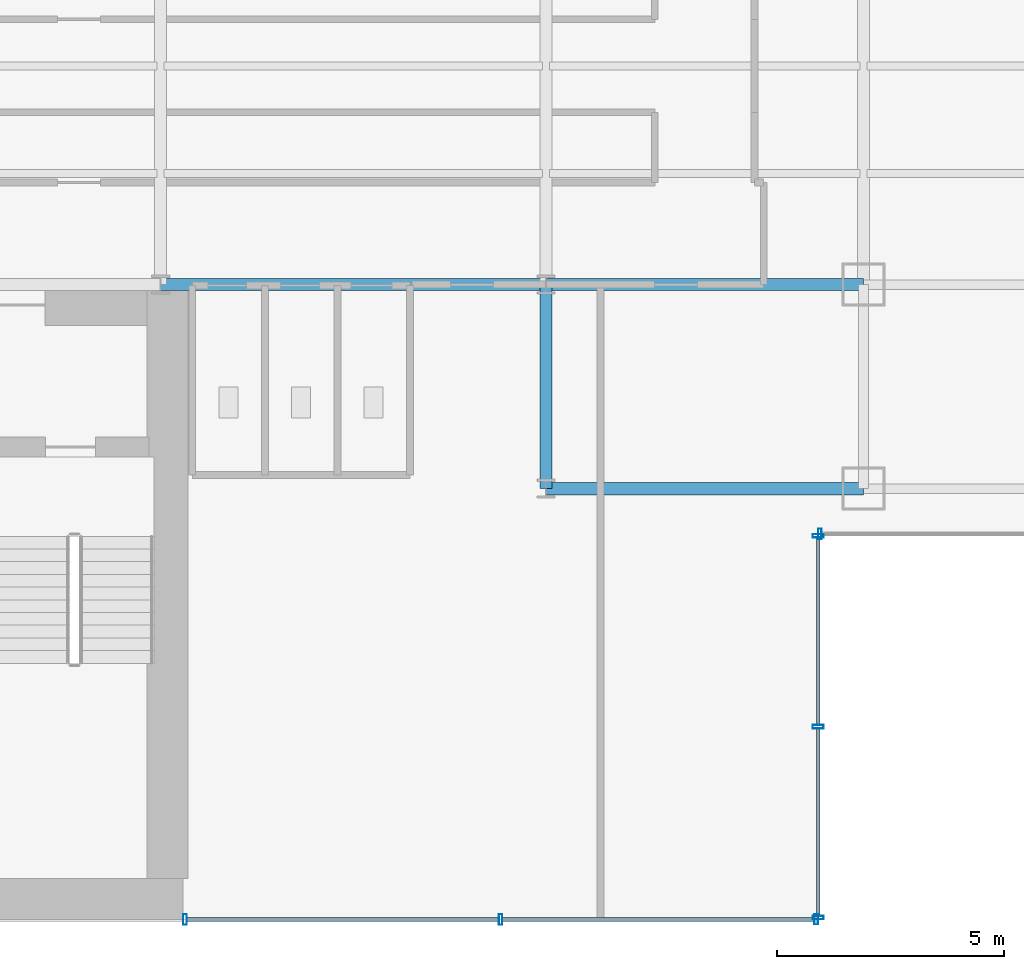
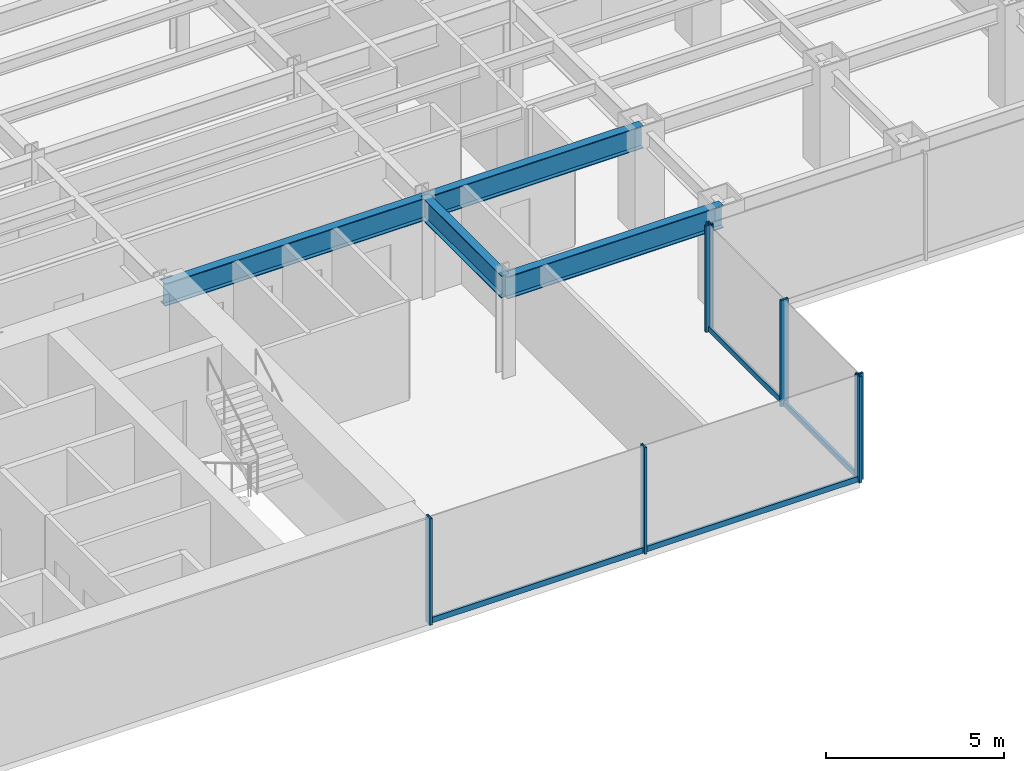
# One storey, part 6 of 22: 11 members, 4 beams, 3 elements without a shape of their own.
"""IFC4 building model written with IfcOpenShell, lengths in metres."""

from ifc_helpers import new_model, si_unit, derived_unit, direction, frame, origin, origin_2d, place, context, subcontext, project, spatial, hollow_rectangle, i_section, extrude, source, transform, mapped, material, material_profile, profile_set, type_object, element, aggregate, save


model = new_model("IFC4")

# Units and contexts
model_context = context("Model", 3, precision=1e-05, world=origin(), true_north=direction((0.0, 1.0)))
body_context = subcontext(model_context, "Body", "Model", "MODEL_VIEW")
ifc_project = project(units=[si_unit("LENGTHUNIT", "METRE"), si_unit("AREAUNIT", "SQUARE_METRE"), si_unit("VOLUMEUNIT", "CUBIC_METRE"), si_unit("PLANEANGLEUNIT", "RADIAN"), si_unit("MASSUNIT", "GRAM", prefix="KILO"), derived_unit("THERMALTRANSMITTANCEUNIT", [(si_unit("POWERUNIT", "WATT"), 1), (si_unit("LENGTHUNIT", "METRE"), -2), (si_unit("THERMODYNAMICTEMPERATUREUNIT", "KELVIN"), -1)])], contexts=[model_context])

# Site, building, storey
site_placement = place(None, origin())
site = spatial("IfcSite", under=ifc_project, at=site_placement, CompositionType="ELEMENT")
building_placement = place(site_placement, origin())
building = spatial("IfcBuilding", under=site, at=building_placement, Name="Skarnbrae Concourse Arena and Tower", CompositionType="ELEMENT")
storey_placement = place(building_placement, frame((0.0, 0.0, 39.800048828125)))
storey = spatial("IfcBuildingStorey", under=building, at=storey_placement, Name="L08", CompositionType="ELEMENT", Elevation=39.800048828125)

# Beams
ifc_material_1 = material(Name="Steel CSA G40.21 350W", Category="steel")
ifc_material_profile_1 = material_profile(ifc_material_1, i_section(OverallWidth=0.26806640625, OverallDepth=0.77001953125, WebThickness=0.015625, FlangeThickness=0.025390625, at=origin_2d()), Name="W760X196")
ifc_profile_set_1 = profile_set([ifc_material_profile_1], Name="Steel CSA G40.21 350W")
beam_type = type_object("IfcBeamType", Name="BM-GIRD-W760X196", PredefinedType="BEAM", material=ifc_profile_set_1)
shared_shape_1 = source(origin(), body_context, "Body", "SweptSolid", [
    extrude(i_section(OverallWidth=0.26806640625, OverallDepth=0.77001953125, WebThickness=0.015625, FlangeThickness=0.025390625, at=origin_2d()), origin(), (0.0, 0.0, 1.0), 7.0),
])
for number, where, z_axis, x_axis, name in (
    (1, (42.0, 9.5, 3.014892578125), (1.0, 0.0, 0.0), (0.0, 1.0, 0.0), "L08 Primary E-W girder Y9.5-2"),
    (2, (42.0, 14.0, 3.014892578125), (1.0, 0.0, 0.0), (0.0, 1.0, 0.0), "L08 Primary E-W girder Y14.0-7"),
):
    element("IfcBeam", number, at=place(storey_placement, frame(where, z_axis=z_axis, x_axis=x_axis)), inside=storey, type_object=beam_type, Name=name, PredefinedType="BEAM", context=body_context, shape_type="MappedRepresentation", body=[
        mapped(shared_shape_1, transform((0.0, 0.0, 0.0))),
    ])
shared_shape_2 = source(origin(), body_context, "Body", "SweptSolid", [
    extrude(i_section(OverallWidth=0.26806640625, OverallDepth=0.77001953125, WebThickness=0.015625, FlangeThickness=0.025390625, at=origin_2d()), origin(), (0.0, 0.0, 1.0), 8.5),
])
beam_1_placement = place(storey_placement, frame((33.5, 14.0, 3.014892578125), z_axis=(1.0, 0.0, 0.0), x_axis=(0.0, 1.0, 0.0)))
element("IfcBeam", 3, at=beam_1_placement, inside=storey, type_object=beam_type, Name="L08 Primary E-W girder Y14.0-6", PredefinedType="BEAM", context=body_context, shape_type="MappedRepresentation", body=[
    mapped(shared_shape_2, transform((0.0, 0.0, 0.0))),
])
shared_shape_3 = source(origin(), body_context, "Body", "SweptSolid", [
    extrude(i_section(OverallWidth=0.26806640625, OverallDepth=0.77001953125, WebThickness=0.015625, FlangeThickness=0.025390625, at=origin_2d()), origin(), (0.0, 0.0, 1.0), 4.5),
])
beam_2_placement = place(storey_placement, frame((42.0, 9.5, 3.014892578125), z_axis=(0.0, 1.0, 0.0), x_axis=(-1.0, 0.0, 0.0)))
element("IfcBeam", 4, at=beam_2_placement, inside=storey, type_object=beam_type, Name="L08 Primary N-S girder X42.0-1", PredefinedType="BEAM", context=body_context, shape_type="MappedRepresentation", body=[
    mapped(shared_shape_3, transform((0.0, 0.0, 0.0))),
])

# Curtain wall, members
ifc_material_2 = material(Name="Bronze anodised aluminium 6063-T6", Category="aluminium")
curtain_wall_type = type_object("IfcCurtainWallType", Name="CW-SYS-02-LOWZONE", PredefinedType="USERDEFINED", material=ifc_material_2)
curtain_wall_1_placement = place(storey_placement, origin())
curtain_wall_1 = element("IfcCurtainWall", 5, at=curtain_wall_1_placement, inside=storey, type_object=curtain_wall_type, Name="L08 Unitised curtain wall CW-L08-SE-SPINE", ObjectType="UNITISED CURTAIN WALL", PredefinedType="USERDEFINED")
ifc_material_profile_2 = material_profile(ifc_material_2, hollow_rectangle(XDim=0.080078125, YDim=0.239990234375, WallThickness=0.0048828125, at=origin_2d()), Name="ALU-MULL-80X240")
ifc_profile_set_2 = profile_set([ifc_material_profile_2], Name="Bronze anodised aluminium 6063-T6")
member_type_1 = type_object("IfcMemberType", Name="CWM-CW-02", PredefinedType="MULLION", material=ifc_profile_set_2)
shared_shape_4 = source(origin(), body_context, "Body", "SweptSolid", [
    extrude(hollow_rectangle(XDim=0.080078125, YDim=0.239990234375, WallThickness=0.0048828125, at=origin_2d()), origin(), (0.0, 0.0, 1.0), 3.64990234375),
])
member_1_placement = place(storey_placement, frame((34.0400390625, 0.0, 0.0), z_axis=(0.0, 0.0, 1.0), x_axis=(1.0, 0.0, 0.0)))
member_1 = element("IfcMember", 6, at=member_1_placement, type_object=member_type_1, Name="CW-L08-SE-SPINE Mullion 1", PredefinedType="MULLION", context=body_context, shape_type="MappedRepresentation", body=[
    mapped(shared_shape_4, transform((0.0, 0.0, 0.0))),
])
member_2_placement = place(storey_placement, frame((41.0, 0.0, 0.0), z_axis=(0.0, 0.0, 1.0), x_axis=(1.0, 0.0, 0.0)))
member_2 = element("IfcMember", 7, at=member_2_placement, type_object=member_type_1, Name="CW-L08-SE-SPINE Mullion 2", PredefinedType="MULLION", context=body_context, shape_type="MappedRepresentation", body=[
    mapped(shared_shape_4, transform((0.0, 0.0, 0.0))),
])
member_3_placement = place(storey_placement, frame((47.9599609375, 0.0, 0.0), z_axis=(0.0, 0.0, 1.0), x_axis=(1.0, 0.0, 0.0)))
member_3 = element("IfcMember", 8, at=member_3_placement, type_object=member_type_1, Name="CW-L08-SE-SPINE Mullion 3", PredefinedType="MULLION", context=body_context, shape_type="MappedRepresentation", body=[
    mapped(shared_shape_4, transform((0.0, 0.0, 0.0))),
])

curtain_wall_2_placement = place(storey_placement, origin())
curtain_wall_2 = element("IfcCurtainWall", 9, at=curtain_wall_2_placement, inside=storey, type_object=curtain_wall_type, Name="L08 Unitised curtain wall CW-L08-E02", ObjectType="UNITISED CURTAIN WALL", PredefinedType="USERDEFINED")
member_4_placement = place(storey_placement, frame((48.0, 0.0400390625, 0.0), z_axis=(0.0, 0.0, 1.0), x_axis=(0.0, 1.0, 0.0)))
member_4 = element("IfcMember", 10, at=member_4_placement, type_object=member_type_1, Name="CW-L08-E02 Mullion 1", PredefinedType="MULLION", context=body_context, shape_type="MappedRepresentation", body=[
    mapped(shared_shape_4, transform((0.0, 0.0, 0.0))),
])
member_5_placement = place(storey_placement, frame((48.0, 4.25, 0.0), z_axis=(0.0, 0.0, 1.0), x_axis=(0.0, 1.0, 0.0)))
member_5 = element("IfcMember", 11, at=member_5_placement, type_object=member_type_1, Name="CW-L08-E02 Mullion 2", PredefinedType="MULLION", context=body_context, shape_type="MappedRepresentation", body=[
    mapped(shared_shape_4, transform((0.0, 0.0, 0.0))),
])
member_6_placement = place(storey_placement, frame((48.0, 8.4599609375, 0.0), z_axis=(0.0, 0.0, 1.0), x_axis=(0.0, 1.0, 0.0)))
member_6 = element("IfcMember", 12, at=member_6_placement, type_object=member_type_1, Name="CW-L08-E02 Mullion 3", PredefinedType="MULLION", context=body_context, shape_type="MappedRepresentation", body=[
    mapped(shared_shape_4, transform((0.0, 0.0, 0.0))),
])

# Curtain wall, member
curtain_wall_3_placement = place(storey_placement, origin())
curtain_wall_3 = element("IfcCurtainWall", 13, at=curtain_wall_3_placement, inside=storey, type_object=curtain_wall_type, Name="L08 Unitised curtain wall CW-L08-E03", ObjectType="UNITISED CURTAIN WALL", PredefinedType="USERDEFINED")
member_7_placement = place(storey_placement, frame((48.0400390625, 8.5, 0.0), z_axis=(0.0, 0.0, 1.0), x_axis=(1.0, 0.0, 0.0)))
member_7 = element("IfcMember", 14, at=member_7_placement, type_object=member_type_1, Name="CW-L08-E03 Mullion 1", PredefinedType="MULLION", context=body_context, shape_type="MappedRepresentation", body=[
    mapped(shared_shape_4, transform((0.0, 0.0, 0.0))),
])
aggregate(curtain_wall_3, [member_7])

# Member
ifc_material_profile_3 = material_profile(ifc_material_2, hollow_rectangle(XDim=0.080078125, YDim=0.18994140625, WallThickness=0.0048828125, at=origin_2d()), Name="ALU-TRAN-80X190")
ifc_profile_set_3 = profile_set([ifc_material_profile_3], Name="Bronze anodised aluminium 6063-T6")
member_type_2 = type_object("IfcMemberType", Name="CWT-CW-02", PredefinedType="USERDEFINED", material=ifc_profile_set_3)
shared_shape_5 = source(origin(), body_context, "Body", "SweptSolid", [
    extrude(hollow_rectangle(XDim=0.080078125, YDim=0.18994140625, WallThickness=0.0048828125, at=origin_2d()), origin(), (0.0, 0.0, 1.0), 6.8798828125),
])
member_8_placement = place(storey_placement, frame((34.080078125, 0.0, 0.094970703125), z_axis=(1.0, 0.0, 0.0), x_axis=(0.0, 1.0, 0.0)))
member_8 = element("IfcMember", 15, at=member_8_placement, type_object=member_type_2, Name="CW-L08-SE-SPINE Transom 1", ObjectType="TRANSOM", PredefinedType="USERDEFINED", context=body_context, shape_type="MappedRepresentation", body=[
    mapped(shared_shape_5, transform((0.0, 0.0, 0.0))),
])

member_9_placement = place(storey_placement, frame((41.0400390625, 0.0, 0.094970703125), z_axis=(1.0, 0.0, 0.0), x_axis=(0.0, 1.0, 0.0)))
member_9 = element("IfcMember", 16, at=member_9_placement, type_object=member_type_2, Name="CW-L08-SE-SPINE Transom 2", ObjectType="TRANSOM", PredefinedType="USERDEFINED", context=body_context, shape_type="MappedRepresentation", body=[
    mapped(shared_shape_5, transform((0.0, 0.0, 0.0))),
])

aggregate(curtain_wall_1, [member_1, member_2, member_3, member_8, member_9])

shared_shape_6 = source(origin(), body_context, "Body", "SweptSolid", [
    extrude(hollow_rectangle(XDim=0.080078125, YDim=0.18994140625, WallThickness=0.0048828125, at=origin_2d()), origin(), (0.0, 0.0, 1.0), 4.1298828125),
])
member_10_placement = place(storey_placement, frame((48.0, 0.080078125, 0.094970703125), z_axis=(0.0, 1.0, 0.0), x_axis=(-1.0, 0.0, 0.0)))
member_10 = element("IfcMember", 17, at=member_10_placement, type_object=member_type_2, Name="CW-L08-E02 Transom 1", ObjectType="TRANSOM", PredefinedType="USERDEFINED", context=body_context, shape_type="MappedRepresentation", body=[
    mapped(shared_shape_6, transform((0.0, 0.0, 0.0))),
])

member_11_placement = place(storey_placement, frame((48.0, 4.2900390625, 0.094970703125), z_axis=(0.0, 1.0, 0.0), x_axis=(-1.0, 0.0, 0.0)))
member_11 = element("IfcMember", 18, at=member_11_placement, type_object=member_type_2, Name="CW-L08-E02 Transom 2", ObjectType="TRANSOM", PredefinedType="USERDEFINED", context=body_context, shape_type="MappedRepresentation", body=[
    mapped(shared_shape_6, transform((0.0, 0.0, 0.0))),
])

aggregate(curtain_wall_2, [member_4, member_5, member_6, member_10, member_11])

save(model, "model.ifc")
